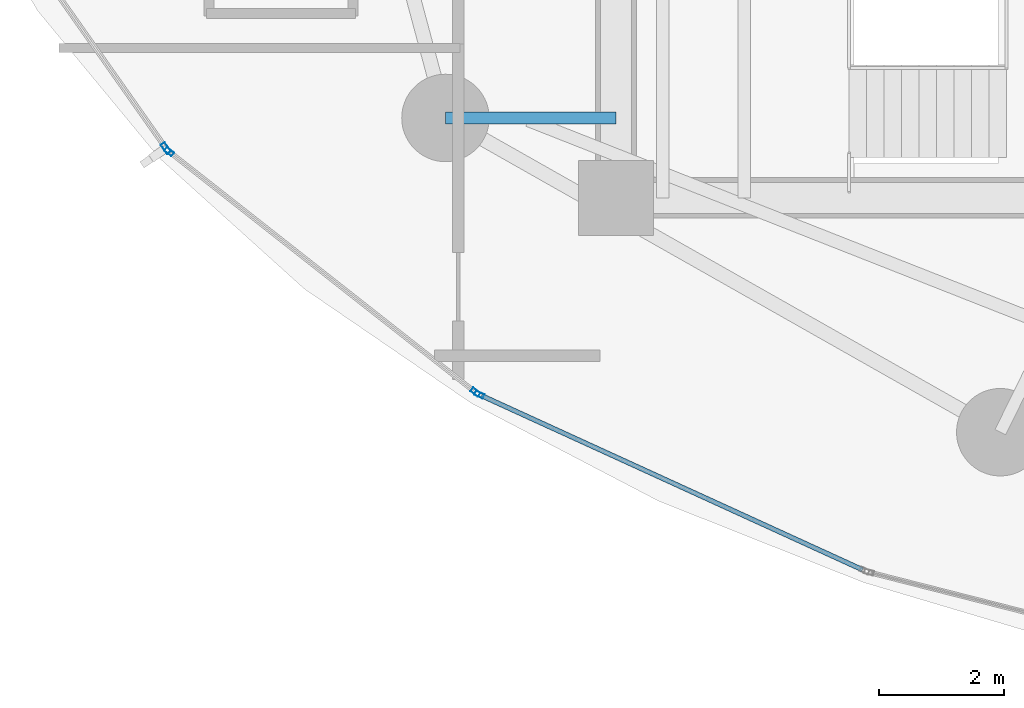
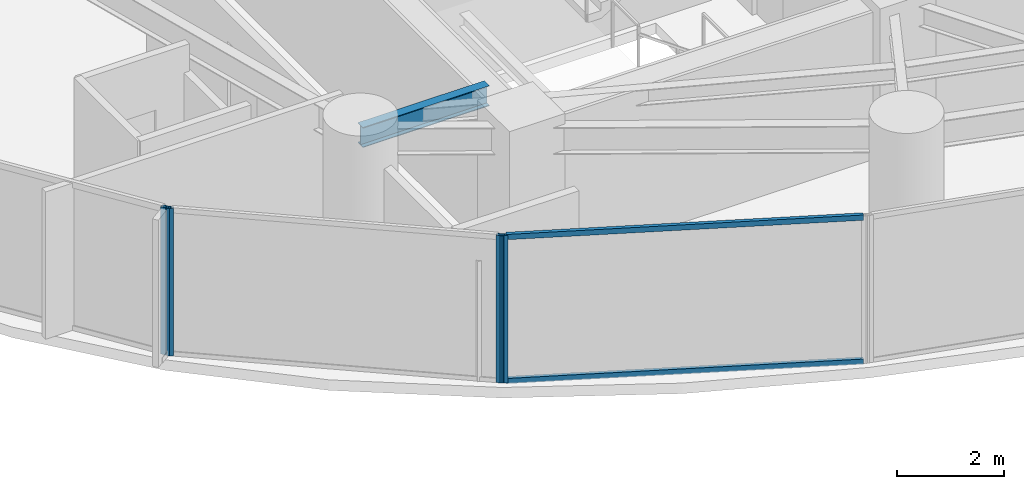
# One storey, part 2 of 32: 6 members, 1 beam, 3 elements without a shape of their own.
"""IFC4 building model written with IfcOpenShell, lengths in metres."""

from ifc_helpers import new_model, si_unit, direction, frame, origin, origin_2d, place, context, subcontext, project, spatial, hollow_rectangle, i_section, extrude, material, layer, layer_set, material_profile, profile_set, type_object, element, aggregate, save


model = new_model("IFC4")

# Units and contexts
model_context = context("Model", 3, precision=1e-05, world=origin(), true_north=direction((0.0, 1.0)))
body_context = subcontext(model_context, "Body", "Model", "MODEL_VIEW")
ifc_project = project(units=[si_unit("LENGTHUNIT", "METRE"), si_unit("AREAUNIT", "SQUARE_METRE"), si_unit("VOLUMEUNIT", "CUBIC_METRE"), si_unit("PLANEANGLEUNIT", "RADIAN"), si_unit("MASSUNIT", "GRAM", prefix="KILO")], contexts=[model_context])

# Site, building, storey
site_placement = place(None, origin())
site = spatial("IfcSite", under=ifc_project, at=site_placement, CompositionType="ELEMENT")
building_placement = place(site_placement, origin())
building = spatial("IfcBuilding", under=site, at=building_placement, Name="Kazevale Care Tower and Concert Hall", CompositionType="ELEMENT")
storey_placement = place(building_placement, frame((0.0, 0.0, 24.0)))
storey = spatial("IfcBuildingStorey", under=building, at=storey_placement, Name="L05", CompositionType="ELEMENT", Elevation=24.0)

# Curtain wall, member
ifc_material_1 = material(Name="Aluminium 6063-T6 and Low-E Glass", Category="aluminium")
ifc_layer_1 = layer(ifc_material_1, 0.179931640625)
ifc_layer_set_1 = layer_set([ifc_layer_1], Name="Aluminium 6063-T6 and Low-E Glass")
curtain_wall_type_1 = type_object("IfcCurtainWallType", Name="Waist & Upper Residential Curtain Wall CW-4", PredefinedType="NOTDEFINED", material=ifc_layer_set_1)
curtain_wall_1_placement = place(storey_placement, origin())
curtain_wall_1 = element("IfcCurtainWall", 1, at=curtain_wall_1_placement, inside=storey, type_object=curtain_wall_type_1, Name="cw:L05:f11", PredefinedType="NOTDEFINED")
ifc_material_2 = material(Name="Aluminium 6063-T6", Category="aluminium")
ifc_material_profile_1 = material_profile(ifc_material_2, hollow_rectangle(XDim=0.080078125, YDim=0.179931640625, WallThickness=0.0048828125, at=origin_2d()), Name="ALU80x180x5")
ifc_profile_set_1 = profile_set([ifc_material_profile_1], Name="Aluminium 6063-T6")
member_type_1 = type_object("IfcMemberType", Name="CW-4 Mullion ALU80x180x5", PredefinedType="MULLION", material=ifc_profile_set_1)
member_1_placement = place(storey_placement, frame((14.794921875, 24.396728515625, 0.0), z_axis=(0.0, 0.0, 1.0), x_axis=(-0.817564654583, -0.575836813322, 0.0)))
member_1 = element("IfcMember", 2, at=member_1_placement, type_object=member_type_1, Name="CW-4 mullion 1", PredefinedType="MULLION", context=body_context, shape_type="SweptSolid", body=[
    extrude(hollow_rectangle(XDim=0.080078125, YDim=0.179931640625, WallThickness=0.0048828125, at=origin_2d()), origin(), (0.0, 0.0, 1.0), 3.360107421875),
])
aggregate(curtain_wall_1, [member_1])

ifc_layer_2 = layer(ifc_material_1, 0.179931640625)
ifc_layer_set_2 = layer_set([ifc_layer_2], Name="Aluminium 6063-T6 and Low-E Glass")
curtain_wall_type_2 = type_object("IfcCurtainWallType", Name="Sheltered Concave Balcony Curtain Wall CW-5", PredefinedType="NOTDEFINED", material=ifc_layer_set_2)
curtain_wall_2_placement = place(storey_placement, origin())
curtain_wall_2 = element("IfcCurtainWall", 3, at=curtain_wall_2_placement, inside=storey, type_object=curtain_wall_type_2, Name="cw:L05:f09", PredefinedType="NOTDEFINED")
ifc_material_profile_2 = material_profile(ifc_material_2, hollow_rectangle(XDim=0.074951171875, YDim=0.14990234375, WallThickness=0.00390625, at=origin_2d()), Name="ALU75x150x4")
ifc_profile_set_2 = profile_set([ifc_material_profile_2], Name="Aluminium 6063-T6")
member_type_2 = type_object("IfcMemberType", Name="CW-5 Mullion ALU75x150x4", PredefinedType="MULLION", material=ifc_profile_set_2)
member_2_placement = place(storey_placement, frame((19.81201171875, 20.451416015625, 0.0), z_axis=(0.0, 0.0, 1.0), x_axis=(-0.415659767773, -0.909520179795, 0.0)))
member_2 = element("IfcMember", 4, at=member_2_placement, type_object=member_type_2, Name="CW-5 mullion 2", PredefinedType="MULLION", context=body_context, shape_type="SweptSolid", body=[
    extrude(hollow_rectangle(XDim=0.074951171875, YDim=0.14990234375, WallThickness=0.00390625, at=origin_2d()), origin(), (0.0, 0.0, 1.0), 3.360107421875),
])

# Curtain wall, members
curtain_wall_3_placement = place(storey_placement, origin())
curtain_wall_3 = element("IfcCurtainWall", 5, at=curtain_wall_3_placement, inside=storey, type_object=curtain_wall_type_2, Name="cw:L05:f10", PredefinedType="NOTDEFINED")
member_3_placement = place(storey_placement, frame((19.74853515625, 20.490234375, 0.0), z_axis=(0.0, 0.0, 1.0), x_axis=(-0.617807548814, -0.78632934107, 0.0)))
member_3 = element("IfcMember", 6, at=member_3_placement, type_object=member_type_2, Name="CW-5 mullion 1", PredefinedType="MULLION", context=body_context, shape_type="SweptSolid", body=[
    extrude(hollow_rectangle(XDim=0.074951171875, YDim=0.14990234375, WallThickness=0.00390625, at=origin_2d()), origin(), (0.0, 0.0, 1.0), 3.360107421875),
])
member_4_placement = place(storey_placement, frame((14.847412109375, 24.3408203125, 0.0), z_axis=(0.0, 0.0, 1.0), x_axis=(-0.617807548814, -0.78632934107, 0.0)))
member_4 = element("IfcMember", 7, at=member_4_placement, type_object=member_type_2, Name="CW-5 mullion 2", PredefinedType="MULLION", context=body_context, shape_type="SweptSolid", body=[
    extrude(hollow_rectangle(XDim=0.074951171875, YDim=0.14990234375, WallThickness=0.00390625, at=origin_2d()), origin(), (0.0, 0.0, 1.0), 3.360107421875),
])
aggregate(curtain_wall_3, [member_3, member_4])

# Member
ifc_material_profile_3 = material_profile(ifc_material_2, hollow_rectangle(XDim=0.074951171875, YDim=0.1201171875, WallThickness=0.00390625, at=origin_2d()), Name="ALU75x120x4")
ifc_profile_set_3 = profile_set([ifc_material_profile_3], Name="Aluminium 6063-T6")
member_type_3 = type_object("IfcMemberType", Name="CW-5 Transom ALU75x120x4", PredefinedType="USERDEFINED", material=ifc_profile_set_3)
member_5_placement = place(storey_placement, frame((25.94384765625, 17.649169921875, 0.03759765625), z_axis=(-0.909524040017, 0.415651320978, 0.0), x_axis=(-0.415651320978, -0.909524040017, 0.0)))
member_5 = element("IfcMember", 8, at=member_5_placement, type_object=member_type_3, Name="CW-5 transom 1.1", ObjectType="TRANSOM", PredefinedType="USERDEFINED", context=body_context, shape_type="SweptSolid", body=[
    extrude(hollow_rectangle(XDim=0.074951171875, YDim=0.1201171875, WallThickness=0.00390625, at=origin_2d()), origin(), (0.0, 0.0, 1.0), 6.704345703125),
])

member_6_placement = place(storey_placement, frame((25.94384765625, 17.649169921875, 3.322509765625), z_axis=(-0.909524040017, 0.415651320978, 0.0), x_axis=(-0.415651320978, -0.909524040017, 0.0)))
member_6 = element("IfcMember", 9, at=member_6_placement, type_object=member_type_3, Name="CW-5 transom 1.2", ObjectType="TRANSOM", PredefinedType="USERDEFINED", context=body_context, shape_type="SweptSolid", body=[
    extrude(hollow_rectangle(XDim=0.074951171875, YDim=0.1201171875, WallThickness=0.00390625, at=origin_2d()), origin(), (0.0, 0.0, 1.0), 6.704345703125),
])

aggregate(curtain_wall_2, [member_2, member_5, member_6])

# Beam
ifc_material_3 = material(Name="Steel ASTM A572 Gr 50", Category="steel")
ifc_material_profile_4 = material_profile(ifc_material_3, i_section(OverallWidth=0.19091796875, OverallDepth=0.4599609375, WebThickness=0.010009765625, FlangeThickness=0.01611328125, at=origin_2d()), Name="W460x82")
ifc_profile_set_4 = profile_set([ifc_material_profile_4], Name="Steel ASTM A572 Gr 50")
beam_type = type_object("IfcBeamType", Name="Radial Floor Beam W460x82", PredefinedType="BEAM", material=ifc_profile_set_4)
beam_placement = place(storey_placement, frame((22.0, 24.8798828125, 3.1298828125), z_axis=(-1.0, 0.0, 0.0), x_axis=(0.0, -1.0, 0.0)))
element("IfcBeam", 10, at=beam_placement, inside=storey, type_object=beam_type, Name="beam:L05:rad:10", PredefinedType="BEAM", context=body_context, shape_type="SweptSolid", body=[
    extrude(i_section(OverallWidth=0.19091796875, OverallDepth=0.4599609375, WebThickness=0.010009765625, FlangeThickness=0.01611328125, at=origin_2d()), origin(), (0.0, 0.0, 1.0), 2.72998046875),
])

save(model, "model.ifc")
